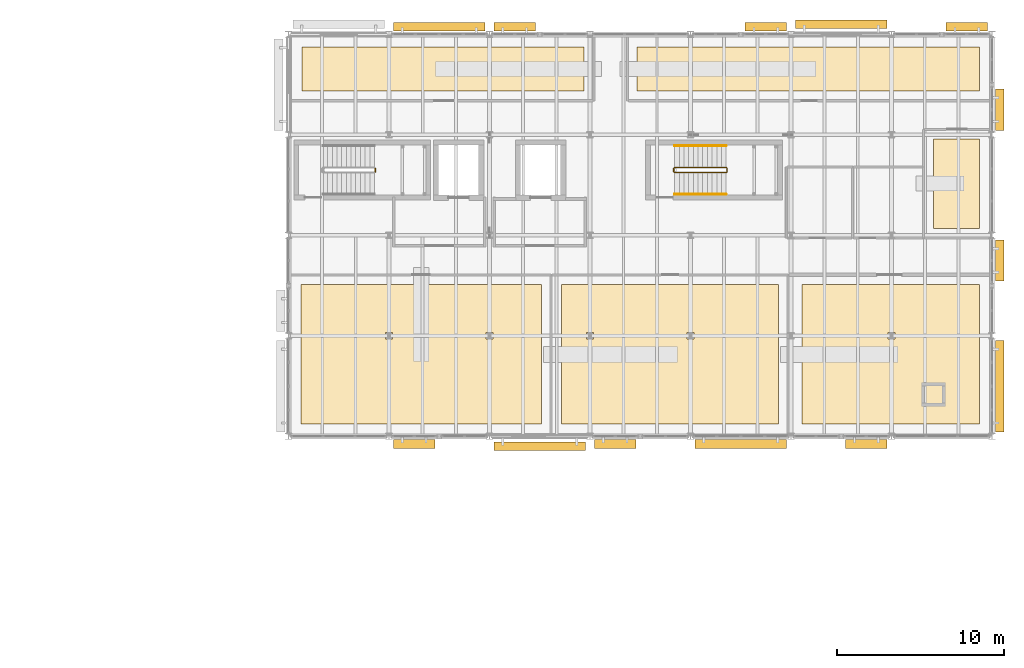
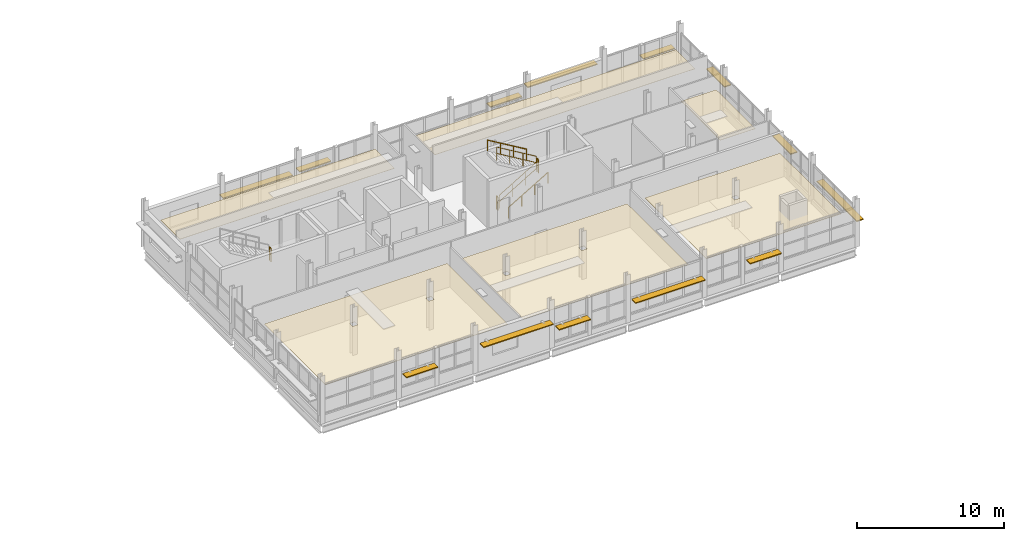
# One storey, part 91 of 92: 13 shading devices, 7 railings, 6 coverings.
"""IFC4 building model written with IfcOpenShell, lengths in metres."""

import ifcopenshell
import ifcopenshell.guid

model = None  # the IFC model being written
_history = None  # IfcOwnerHistory: only IFC2X3 demands one
_inside = {}  # id of a spatial element -> (the spatial element, [elements in it])
_under = {}  # id of a project, library or spatial element -> (it, [spatial elements below it])
_declared = {}  # id of a project -> (the project, [libraries it declares])
_typed = {}  # id of a type object -> (the type object, [elements of that type])
_made_of = {}  # id of a material, layer set ... -> (it, [elements and type objects made of it])


def new_model(schema):
    """Start an empty IFC model of exactly this schema.

    Asked for "IFC4X3", IfcOpenShell would pick the latest addendum, in which some entities
    have other attributes; the version numbers below select the first issue.
    IFC2X3 requires an IfcOwnerHistory on every rooted entity: one is made here for all.
    """
    global model, _history
    if schema == "IFC4X3":
        model = ifcopenshell.file(schema_version=(4, 3, 0, 0))
    else:
        model = ifcopenshell.file(schema=schema)
    _inside.clear()
    _under.clear()
    _declared.clear()
    _typed.clear()
    _made_of.clear()
    _history = None
    if model.schema == "IFC2X3":
        org = make("IfcOrganization", Name="unknown")
        user = make(
            "IfcPersonAndOrganization",
            ThePerson=make("IfcPerson", FamilyName="unknown"),
            TheOrganization=org,
        )
        app = make(
            "IfcApplication",
            ApplicationDeveloper=org,
            Version="unknown",
            ApplicationFullName="unknown",
            ApplicationIdentifier="unknown",
        )
        _history = make(
            "IfcOwnerHistory",
            OwningUser=user,
            OwningApplication=app,
            ChangeAction="ADDED",
            CreationDate=0,
        )
    return model


def make(cls, **values):
    """One entity of the class cls with the attributes given. An attribute that is None is left unset."""
    return model.create_entity(
        cls, **{name: value for name, value in values.items() if value is not None}
    )


def rooted(cls, **values):
    """An entity with a GlobalId (a new one), such as an element, a storey or a relation."""
    return make(cls, GlobalId=ifcopenshell.guid.new(), OwnerHistory=_history, **values)


def si_unit(unit_type, name, prefix=None):
    """IfcSIUnit, for example si_unit("LENGTHUNIT", "METRE", prefix="MILLI")."""
    return make("IfcSIUnit", UnitType=unit_type, Prefix=prefix, Name=name)


def assignment(units):
    """IfcUnitAssignment: the units of a project."""
    return None if units is None else make("IfcUnitAssignment", Units=units)


def point(xyz):
    """IfcCartesianPoint."""
    return None if xyz is None else make("IfcCartesianPoint", Coordinates=xyz)


def direction(xyz):
    """IfcDirection."""
    return None if xyz is None else make("IfcDirection", DirectionRatios=xyz)


def frame(location, z_axis=None, x_axis=None):
    """IfcAxis2Placement3D, a coordinate frame: its origin and axes. An axis left out is left unset."""
    return make(
        "IfcAxis2Placement3D",
        Location=point(location),
        Axis=direction(z_axis),
        RefDirection=direction(x_axis),
    )


def frame_2d(location, x_axis=None):
    """IfcAxis2Placement2D, a coordinate frame in the plane: its origin and x axis."""
    return make(
        "IfcAxis2Placement2D", Location=point(location), RefDirection=direction(x_axis)
    )


def origin():
    """The frame at (0, 0, 0) with its axes left unset."""
    return frame((0.0, 0.0, 0.0))


def origin_2d():
    """The frame at (0, 0) in the plane with its x axis left unset."""
    return frame_2d((0.0, 0.0))


def place(relative_to, where):
    """IfcLocalPlacement: puts the frame where relative to a parent placement (None: the world)."""
    return make(
        "IfcLocalPlacement", PlacementRelTo=relative_to, RelativePlacement=where
    )


def context(
    kind, dimensions, precision=None, world=None, true_north=None, identifier=None
):
    """IfcGeometricRepresentationContext, for example the 3D "Model" context."""
    return make(
        "IfcGeometricRepresentationContext",
        ContextIdentifier=identifier,
        ContextType=kind,
        CoordinateSpaceDimension=dimensions,
        Precision=precision,
        WorldCoordinateSystem=world,
        TrueNorth=true_north,
    )


def subcontext(parent, identifier, kind, view, scale=None):
    """IfcGeometricRepresentationSubContext, for example "Body" below "Model"."""
    return make(
        "IfcGeometricRepresentationSubContext",
        ContextIdentifier=identifier,
        ContextType=kind,
        ParentContext=parent,
        TargetScale=scale,
        TargetView=view,
    )


def project(units=None, contexts=None):
    """IfcProject with its units and contexts."""
    return rooted(
        "IfcProject",
        Name="project",
        RepresentationContexts=contexts,
        UnitsInContext=assignment(units),
    )


def spatial(cls, under=None, at=None, **own):
    """A site, building, storey or space (cls), placed at a placement, below another one or the project."""
    s = rooted(cls, ObjectPlacement=at, **own)
    if under is not None:
        _under.setdefault(under.id(), (under, []))[1].append(s)
    return s


def polyline(points):
    """IfcPolyline through the points."""
    return make("IfcPolyline", Points=[point(p) for p in points])


def profile(cls, at=None, kind="AREA", **sizes):
    """A parametric profile (cls). Its sizes go by their IFC names, for example OverallWidth=200.0."""
    return make(cls, ProfileType=kind, Position=at, **sizes)


def rectangle(**sizes):
    """IfcRectangleProfileDef."""
    return profile("IfcRectangleProfileDef", **sizes)


def circle(**sizes):
    """IfcCircleProfileDef."""
    return profile("IfcCircleProfileDef", **sizes)


def outline(outer, holes=None, kind="AREA"):
    """IfcArbitraryClosedProfileDef: a profile drawn as a closed curve; with holes, ...WithVoids."""
    if holes is None:
        return make("IfcArbitraryClosedProfileDef", ProfileType=kind, OuterCurve=outer)
    return make(
        "IfcArbitraryProfileDefWithVoids",
        ProfileType=kind,
        OuterCurve=outer,
        InnerCurves=holes,
    )


def extrude(swept, where, along, depth):
    """IfcExtrudedAreaSolid: the profile swept, set in the frame where, extruded along a direction by depth."""
    return make(
        "IfcExtrudedAreaSolid",
        SweptArea=swept,
        Position=where,
        ExtrudedDirection=direction(along),
        Depth=depth,
    )


def shape(context_of_items, identifier, shape_type, items):
    """IfcShapeRepresentation: the items that make up one representation, for example the "Body"."""
    return make(
        "IfcShapeRepresentation",
        ContextOfItems=context_of_items,
        RepresentationIdentifier=identifier,
        RepresentationType=shape_type,
        Items=items,
    )


def material(Name=None, Category=None):
    """IfcMaterial."""
    return make("IfcMaterial", Name=Name, Category=Category)


def layer(
    of_material, thickness, ventilated=None, Name=None, Category=None, Priority=None
):
    """IfcMaterialLayer: one layer of a wall or slab, of a material (None: an air gap)."""
    return make(
        "IfcMaterialLayer",
        Material=of_material,
        LayerThickness=thickness,
        IsVentilated=ventilated,
        Name=Name,
        Category=Category,
        Priority=Priority,
    )


def layer_set(layers, Name=None):
    """IfcMaterialLayerSet."""
    return make("IfcMaterialLayerSet", MaterialLayers=layers, LayerSetName=Name)


def made_of(thing, what):
    """Note that an element or type object is made of a material, layer set ...; save() writes the relation."""
    if what is not None:
        _made_of.setdefault(what.id(), (what, []))[1].append(thing)
    return thing


def type_object(cls, material=None, **own):
    """A type object (cls), such as IfcWallType, which elements share."""
    return made_of(rooted(cls, **own), material)


def element(
    cls,
    number,
    at=None,
    inside=None,
    cuts=None,
    type_object=None,
    material=None,
    context=None,
    identifier="Body",
    shape_type=None,
    held_by="IfcProductDefinitionShape",
    body=None,
    shapes=None,
    **own,
):
    """One element of the class cls, such as IfcWall. Its Tag is "e" and its number.

    at: its placement. inside: the storey or other place that contains it. cuts: it is an
    opening in that element (IfcRelVoidsElement). A single representation is given by context,
    identifier, shape_type and body (its items); several are given by shapes. held_by: the class
    of the entity that holds the representations. save() writes the other relations.
    """
    e = rooted(cls, Tag="e%d" % number, ObjectPlacement=at, **own)
    if body is not None:
        shapes = [shape(context, identifier, shape_type, body)]
    if shapes is not None:
        e.Representation = make(held_by, Representations=shapes)
    if inside is not None:
        _inside.setdefault(inside.id(), (inside, []))[1].append(e)
    if cuts is not None:
        rooted(
            "IfcRelVoidsElement", RelatingBuildingElement=cuts, RelatedOpeningElement=e
        )
    if type_object is not None:
        _typed.setdefault(type_object.id(), (type_object, []))[1].append(e)
    return made_of(e, material)


def aggregate(whole, parts):
    """IfcRelAggregates: a whole, such as a stair, and the parts it consists of."""
    return rooted("IfcRelAggregates", RelatingObject=whole, RelatedObjects=parts)


def save(model, path):
    """Write the relations noted so far, then the file.

    IfcRelAggregates (storeys below a building ...), IfcRelContainedInSpatialStructure (elements
    in a storey), IfcRelDefinesByType, IfcRelAssociatesMaterial and IfcRelDeclares: one each for
    every whole, place, type object, material and project.
    """
    for whole, parts in _under.values():
        aggregate(whole, parts)
    for where, things in _inside.values():
        rooted(
            "IfcRelContainedInSpatialStructure",
            RelatedElements=things,
            RelatingStructure=where,
        )
    for kind, things in _typed.values():
        rooted("IfcRelDefinesByType", RelatedObjects=things, RelatingType=kind)
    for what, things in _made_of.values():
        rooted("IfcRelAssociatesMaterial", RelatedObjects=things, RelatingMaterial=what)
    for by, libraries in _declared.values():
        rooted("IfcRelDeclares", RelatingContext=by, RelatedDefinitions=libraries)
    model.write(path)


model = new_model("IFC4")

# Units and contexts
model_context = context("Model", 3, precision=1e-05, world=origin(), true_north=direction((0.0, 1.0)))
body_context = subcontext(model_context, "Body", "Model", "MODEL_VIEW")
ifc_project = project(units=[si_unit("LENGTHUNIT", "METRE"), si_unit("AREAUNIT", "SQUARE_METRE"), si_unit("VOLUMEUNIT", "CUBIC_METRE"), si_unit("PLANEANGLEUNIT", "RADIAN"), si_unit("MASSUNIT", "GRAM", prefix="KILO")], contexts=[model_context])

# Site, building, storey
site_placement = place(None, origin())
site = spatial("IfcSite", under=ifc_project, at=site_placement, CompositionType="ELEMENT")
building_placement = place(site_placement, origin())
building = spatial("IfcBuilding", under=site, at=building_placement, Name="Siltcreek Boulevard Central Fire Station", CompositionType="ELEMENT")
storey_placement = place(building_placement, frame((0.0, 0.0, 6.0)))
storey = spatial("IfcBuildingStorey", under=building, at=storey_placement, Name="L02", CompositionType="ELEMENT", Elevation=6.0)

# Coverings
ifc_material_1 = material(Name="Mineral-fiber acoustic ceiling tile", Category="gypsum")
ifc_layer_1 = layer(ifc_material_1, 0.02490234375, Name="Mineral-fiber acoustic ceiling tile")
ifc_layer_set_1 = layer_set([ifc_layer_1], Name="Mineral-fiber acoustic ceiling tile")
covering_type = type_object("IfcCoveringType", Name="COV_CEIL_ACT", PredefinedType="CEILING", material=ifc_layer_set_1)
covering_1_placement = place(storey_placement, frame((0.0, 0.0, 2.419921875)))
element("IfcCovering", 1, at=covering_1_placement, inside=storey, type_object=covering_type, Name="L02 Operations Division Administrative Office acoustic ceiling ACT-016", PredefinedType="CEILING", context=body_context, shape_type="SweptSolid", body=[
    extrude(outline(polyline([(124.949951171875, 88.949951171875), (139.300048828125, 88.949951171875), (139.300048828125, 97.260009765625), (124.949951171875, 97.260009765625), (124.949951171875, 88.949951171875)]), holes=[polyline([(130.0, 94.0), (130.39990234375, 94.0), (130.39990234375, 94.39990234375), (130.0, 94.39990234375), (130.0, 94.0)]), polyline([(136.0, 94.0), (136.39990234375, 94.0), (136.39990234375, 94.39990234375), (136.0, 94.39990234375), (136.0, 94.0)])]), origin(), (0.0, 0.0, 1.0), 0.025146484375),
])
covering_2_placement = place(storey_placement, frame((0.0, 0.0, 2.419921875)))
element("IfcCovering", 2, at=covering_2_placement, inside=storey, type_object=covering_type, Name="L02 Logistics and Fleet Planning Office acoustic ceiling ACT-017", PredefinedType="CEILING", context=body_context, shape_type="SweptSolid", body=[
    extrude(outline(polyline([(140.5, 88.949951171875), (153.449951171875, 88.949951171875), (153.449951171875, 97.260009765625), (140.5, 97.260009765625), (140.5, 88.949951171875)]), holes=[polyline([(142.0, 94.0), (142.39990234375, 94.0), (142.39990234375, 94.39990234375), (142.0, 94.39990234375), (142.0, 94.0)]), polyline([(148.0, 94.0), (148.39990234375, 94.0), (148.39990234375, 94.39990234375), (148.0, 94.39990234375), (148.0, 94.0)])]), origin(), (0.0, 0.0, 1.0), 0.025146484375),
])
covering_3_placement = place(storey_placement, frame((0.0, 0.0, 2.419921875)))
element("IfcCovering", 3, at=covering_3_placement, inside=storey, type_object=covering_type, Name="L02 Fire Marshal Investigation Office acoustic ceiling ACT-018", PredefinedType="CEILING", context=body_context, shape_type="SweptSolid", body=[
    extrude(outline(polyline([(154.85009765625, 88.949951171875), (165.449951171875, 88.949951171875), (165.449951171875, 97.260009765625), (154.85009765625, 97.260009765625), (154.85009765625, 88.949951171875)]), holes=[polyline([(160.0, 94.0), (160.39990234375, 94.0), (160.39990234375, 94.39990234375), (160.0, 94.39990234375), (160.0, 94.0)])]), origin(), (0.0, 0.0, 1.0), 0.025146484375),
])
covering_4_placement = place(storey_placement, frame((0.0, 0.0, 2.419921875)))
element("IfcCovering", 4, at=covering_4_placement, inside=storey, type_object=covering_type, Name="L02 Arson Forensics Analysis Office acoustic ceiling ACT-019", PredefinedType="CEILING", context=body_context, shape_type="SweptSolid", body=[
    extrude(outline(polyline([(125.0, 108.820068359375), (141.85009765625, 108.820068359375), (141.85009765625, 111.449951171875), (125.0, 111.449951171875), (125.0, 108.820068359375)])), origin(), (0.0, 0.0, 1.0), 0.025146484375),
])
covering_5_placement = place(storey_placement, frame((0.0, 0.0, 2.419921875)))
element("IfcCovering", 5, at=covering_5_placement, inside=storey, type_object=covering_type, Name="L02 Special Operations Planning Office acoustic ceiling ACT-020", PredefinedType="CEILING", context=body_context, shape_type="SweptSolid", body=[
    extrude(outline(polyline([(145.02001953125, 108.820068359375), (165.449951171875, 108.820068359375), (165.449951171875, 111.449951171875), (145.02001953125, 111.449951171875), (145.02001953125, 108.820068359375)])), origin(), (0.0, 0.0, 1.0), 0.025146484375),
])
covering_6_placement = place(storey_placement, frame((0.0, 0.0, 2.419921875)))
element("IfcCovering", 6, at=covering_6_placement, inside=storey, type_object=covering_type, Name="L02 Administrative Copy and Records Room acoustic ceiling ACT-021", PredefinedType="CEILING", context=body_context, shape_type="SweptSolid", body=[
    extrude(outline(polyline([(162.699951171875, 100.6201171875), (165.449951171875, 100.6201171875), (165.449951171875, 105.949951171875), (162.699951171875, 105.949951171875), (162.699951171875, 100.6201171875)])), origin(), (0.0, 0.0, 1.0), 0.025146484375),
])

# Railings
ifc_material_2 = material(Name="Painted galvanized steel stair guard", Category="steel")
railing_type_1 = type_object("IfcRailingType", Name="RL_ST_GUARD", PredefinedType="BALUSTRADE", material=ifc_material_2)
railing_1_placement = place(storey_placement, frame((129.3798828125, 104.0, 2.0)))
element("IfcRailing", 7, at=railing_1_placement, inside=storey, type_object=railing_type_1, Name="L02 ST-V5A stair guard 2", PredefinedType="BALUSTRADE", context=body_context, shape_type="SweptSolid", body=[
    extrude(circle(Radius=0.02392578125, at=origin_2d()), frame((0.0, 0.0, 1.076171875), z_axis=(0.0, 1.0, 0.0), x_axis=(-1.0, 0.0, 0.0)), (0.0, 0.0, 1.0), 0.199951171875),
    extrude(circle(Radius=0.02392578125, at=origin_2d()), frame((0.0, 0.0, 0.550048828125), z_axis=(0.0, 1.0, 0.0), x_axis=(-1.0, 0.0, 0.0)), (0.0, 0.0, 1.0), 0.199951171875),
    extrude(circle(Radius=0.02099609375, at=origin_2d()), origin(), (0.0, 0.0, 1.0), 1.052001953125),
    extrude(circle(Radius=0.02099609375, at=origin_2d()), frame((0.0, 0.199951171875, 0.0)), (0.0, 0.0, 1.0), 1.052001953125),
])
railing_2_placement = place(storey_placement, frame((147.25, 103.949951171875, 0.166748046875)))
element("IfcRailing", 8, at=railing_2_placement, inside=storey, type_object=railing_type_1, Name="L02 ST-V5B stair guard 1", PredefinedType="BALUSTRADE", context=body_context, shape_type="SweptSolid", body=[
    extrude(circle(Radius=0.02392578125, at=origin_2d()), frame((0.0, 0.0, 1.076171875), z_axis=(0.859308565015, 0.0, 0.511457515432), x_axis=(0.0, 1.0, 0.0)), (0.0, 0.0, 1.0), 3.58447265625),
    extrude(circle(Radius=0.02392578125, at=origin_2d()), frame((0.0, 0.0, 0.550048828125), z_axis=(0.859308565015, 0.0, 0.511457515432), x_axis=(0.0, 1.0, 0.0)), (0.0, 0.0, 1.0), 3.58447265625),
    extrude(circle(Radius=0.02099609375, at=origin_2d()), origin(), (0.0, 0.0, 1.0), 1.052001953125),
    extrude(circle(Radius=0.02099609375, at=origin_2d()), frame((1.026611328125, 0.0, 0.611083984375)), (0.0, 0.0, 1.0), 1.052001953125),
    extrude(circle(Radius=0.02099609375, at=origin_2d()), frame((2.053466796875, 0.0, 1.22216796875)), (0.0, 0.0, 1.0), 1.052001953125),
    extrude(circle(Radius=0.02099609375, at=origin_2d()), frame((3.080078125, 0.0, 1.833251953125)), (0.0, 0.0, 1.0), 1.052001953125),
])
railing_3_placement = place(storey_placement, frame((150.3798828125, 104.0, 2.0)))
element("IfcRailing", 9, at=railing_3_placement, inside=storey, type_object=railing_type_1, Name="L02 ST-V5B stair guard 2", PredefinedType="BALUSTRADE", context=body_context, shape_type="SweptSolid", body=[
    extrude(circle(Radius=0.02392578125, at=origin_2d()), frame((0.0, 0.0, 1.076171875), z_axis=(0.0, 1.0, 0.0), x_axis=(-1.0, 0.0, 0.0)), (0.0, 0.0, 1.0), 0.199951171875),
    extrude(circle(Radius=0.02392578125, at=origin_2d()), frame((0.0, 0.0, 0.550048828125), z_axis=(0.0, 1.0, 0.0), x_axis=(-1.0, 0.0, 0.0)), (0.0, 0.0, 1.0), 0.199951171875),
    extrude(circle(Radius=0.02099609375, at=origin_2d()), origin(), (0.0, 0.0, 1.0), 1.052001953125),
    extrude(circle(Radius=0.02099609375, at=origin_2d()), frame((0.0, 0.199951171875, 0.0)), (0.0, 0.0, 1.0), 1.052001953125),
])
railing_4_placement = place(storey_placement, frame((150.330078125, 104.25, 2.166748046875)))
element("IfcRailing", 10, at=railing_4_placement, inside=storey, type_object=railing_type_1, Name="L02 ST-V5B stair guard 3", PredefinedType="BALUSTRADE", context=body_context, shape_type="SweptSolid", body=[
    extrude(circle(Radius=0.02392578125, at=origin_2d()), frame((0.0, 0.0, 1.076171875), z_axis=(-0.859308565015, 0.0, 0.511457515432), x_axis=(0.0, -1.0, 0.0)), (0.0, 0.0, 1.0), 3.58447265625),
    extrude(circle(Radius=0.02392578125, at=origin_2d()), frame((0.0, 0.0, 0.550048828125), z_axis=(-0.859308565015, 0.0, 0.511457515432), x_axis=(0.0, -1.0, 0.0)), (0.0, 0.0, 1.0), 3.58447265625),
    extrude(circle(Radius=0.02099609375, at=origin_2d()), origin(), (0.0, 0.0, 1.0), 1.052001953125),
    extrude(circle(Radius=0.02099609375, at=origin_2d()), frame((-1.026611328125, 0.0, 0.611083984375)), (0.0, 0.0, 1.0), 1.052001953125),
    extrude(circle(Radius=0.02099609375, at=origin_2d()), frame((-2.053466796875, 0.0, 1.22216796875)), (0.0, 0.0, 1.0), 1.052001953125),
    extrude(circle(Radius=0.02099609375, at=origin_2d()), frame((-3.080078125, 0.0, 1.833251953125)), (0.0, 0.0, 1.0), 1.052001953125),
])
railing_5_placement = place(storey_placement, frame((147.199951171875, 104.0, 0.0)))
element("IfcRailing", 11, at=railing_5_placement, inside=storey, type_object=railing_type_1, Name="L02 ST-V5B stair guard 4", PredefinedType="BALUSTRADE", context=body_context, shape_type="SweptSolid", body=[
    extrude(circle(Radius=0.02392578125, at=origin_2d()), frame((0.0, 0.0, 1.076171875), z_axis=(0.0, 1.0, 0.0), x_axis=(-1.0, 0.0, 0.0)), (0.0, 0.0, 1.0), 0.199951171875),
    extrude(circle(Radius=0.02392578125, at=origin_2d()), frame((0.0, 0.0, 0.550048828125), z_axis=(0.0, 1.0, 0.0), x_axis=(-1.0, 0.0, 0.0)), (0.0, 0.0, 1.0), 0.199951171875),
    extrude(circle(Radius=0.02099609375, at=origin_2d()), origin(), (0.0, 0.0, 1.0), 1.052001953125),
    extrude(circle(Radius=0.02099609375, at=origin_2d()), frame((0.0, 0.199951171875, 0.0)), (0.0, 0.0, 1.0), 1.052001953125),
])
ifc_material_3 = material(Name="Brushed stainless steel stair handrail", Category="steel")
railing_type_2 = type_object("IfcRailingType", Name="RL_ST_HAND", PredefinedType="HANDRAIL", material=ifc_material_3)
railing_6_placement = place(storey_placement, frame((147.25, 102.64990234375, 0.166748046875)))
element("IfcRailing", 12, at=railing_6_placement, inside=storey, type_object=railing_type_2, Name="L02 ST-V5B stair handrail 1", PredefinedType="HANDRAIL", context=body_context, shape_type="SweptSolid", body=[
    extrude(circle(Radius=0.02392578125, at=origin_2d()), frame((0.0, 0.0, 0.8759765625), z_axis=(0.859308565015, 0.0, 0.511457515432), x_axis=(0.0, 1.0, 0.0)), (0.0, 0.0, 1.0), 3.58447265625),
    extrude(circle(Radius=0.02099609375, at=origin_2d()), origin(), (0.0, 0.0, 1.0), 0.851806640625),
    extrude(circle(Radius=0.02099609375, at=origin_2d()), frame((1.026611328125, 0.0, 0.611083984375)), (0.0, 0.0, 1.0), 0.851806640625),
    extrude(circle(Radius=0.02099609375, at=origin_2d()), frame((2.053466796875, 0.0, 1.22216796875)), (0.0, 0.0, 1.0), 0.851806640625),
    extrude(circle(Radius=0.02099609375, at=origin_2d()), frame((3.080078125, 0.0, 1.833251953125)), (0.0, 0.0, 1.0), 0.851806640625),
])
railing_7_placement = place(storey_placement, frame((150.330078125, 105.550048828125, 2.166748046875)))
element("IfcRailing", 13, at=railing_7_placement, inside=storey, type_object=railing_type_2, Name="L02 ST-V5B stair handrail 2", PredefinedType="HANDRAIL", context=body_context, shape_type="SweptSolid", body=[
    extrude(circle(Radius=0.02392578125, at=origin_2d()), frame((0.0, 0.0, 0.8759765625), z_axis=(-0.859308565015, 0.0, 0.511457515432), x_axis=(0.0, -1.0, 0.0)), (0.0, 0.0, 1.0), 3.58447265625),
    extrude(circle(Radius=0.02099609375, at=origin_2d()), origin(), (0.0, 0.0, 1.0), 0.851806640625),
    extrude(circle(Radius=0.02099609375, at=origin_2d()), frame((-1.026611328125, 0.0, 0.611083984375)), (0.0, 0.0, 1.0), 0.851806640625),
    extrude(circle(Radius=0.02099609375, at=origin_2d()), frame((-2.053466796875, 0.0, 1.22216796875)), (0.0, 0.0, 1.0), 0.851806640625),
    extrude(circle(Radius=0.02099609375, at=origin_2d()), frame((-3.080078125, 0.0, 1.833251953125)), (0.0, 0.0, 1.0), 0.851806640625),
])

# Shading devices
ifc_material_4 = material(Name="Frey sage-green anodized tubular aluminum sunshade", Category="aluminium")
ifc_layer_2 = layer(ifc_material_4, 0.080078125, Name="Frey sage-green anodized tubular aluminum sunshade")
ifc_layer_set_2 = layer_set([ifc_layer_2], Name="Frey sage-green anodized tubular aluminum sunshade")
shading_device_type = type_object("IfcShadingDeviceType", Name="SHD_BRISE", PredefinedType="USERDEFINED", material=ifc_layer_set_2)
shading_device_1_placement = place(storey_placement, frame((131.702392578125, 87.739990234375, 1.9365234375), z_axis=(0.0, 0.0, 1.0), x_axis=(1.0, 0.0, 0.0)))
element("IfcShadingDevice", 14, at=shading_device_1_placement, inside=storey, type_object=shading_device_type, Name="Anodized tubular aluminum brise-soleil SS-095", ObjectType="SUNSHADE", PredefinedType="USERDEFINED", context=body_context, shape_type="SweptSolid", body=[
    extrude(rectangle(XDim=2.47509765625, YDim=0.52001953125, at=origin_2d()), origin(), (0.0, 0.0, 1.0), 0.080078125),
])
shading_device_2_placement = place(storey_placement, frame((139.199951171875, 87.60009765625, 2.43994140625), z_axis=(0.0, 0.0, 1.0), x_axis=(1.0, 0.0, 0.0)))
element("IfcShadingDevice", 15, at=shading_device_2_placement, inside=storey, type_object=shading_device_type, Name="Anodized tubular aluminum brise-soleil SS-096", ObjectType="SUNSHADE", PredefinedType="USERDEFINED", context=body_context, shape_type="SweptSolid", body=[
    extrude(rectangle(XDim=5.469970703125, YDim=0.52001953125, at=origin_2d()), origin(), (0.0, 0.0, 1.0), 0.080078125),
])
shading_device_3_placement = place(storey_placement, frame((143.702392578125, 87.739990234375, 1.696533203125), z_axis=(0.0, 0.0, 1.0), x_axis=(1.0, 0.0, 0.0)))
element("IfcShadingDevice", 16, at=shading_device_3_placement, inside=storey, type_object=shading_device_type, Name="Anodized tubular aluminum brise-soleil SS-097", ObjectType="SUNSHADE", PredefinedType="USERDEFINED", context=body_context, shape_type="SweptSolid", body=[
    extrude(rectangle(XDim=2.47509765625, YDim=0.52001953125, at=origin_2d()), origin(), (0.0, 0.0, 1.0), 0.080078125),
])
shading_device_4_placement = place(storey_placement, frame((151.199951171875, 87.739990234375, 1.81640625), z_axis=(0.0, 0.0, 1.0), x_axis=(1.0, 0.0, 0.0)))
element("IfcShadingDevice", 17, at=shading_device_4_placement, inside=storey, type_object=shading_device_type, Name="Anodized tubular aluminum brise-soleil SS-098", ObjectType="SUNSHADE", PredefinedType="USERDEFINED", context=body_context, shape_type="SweptSolid", body=[
    extrude(rectangle(XDim=5.469970703125, YDim=0.52001953125, at=origin_2d()), origin(), (0.0, 0.0, 1.0), 0.080078125),
])
shading_device_5_placement = place(storey_placement, frame((158.697509765625, 87.739990234375, 1.9365234375), z_axis=(0.0, 0.0, 1.0), x_axis=(1.0, 0.0, 0.0)))
element("IfcShadingDevice", 18, at=shading_device_5_placement, inside=storey, type_object=shading_device_type, Name="Anodized tubular aluminum brise-soleil SS-099", ObjectType="SUNSHADE", PredefinedType="USERDEFINED", context=body_context, shape_type="SweptSolid", body=[
    extrude(rectangle(XDim=2.47509765625, YDim=0.52001953125, at=origin_2d()), origin(), (0.0, 0.0, 1.0), 0.080078125),
])
shading_device_6_placement = place(storey_placement, frame((133.199951171875, 112.659912109375, 1.696533203125), z_axis=(0.0, 0.0, 1.0), x_axis=(-1.0, 0.0, 0.0)))
element("IfcShadingDevice", 19, at=shading_device_6_placement, inside=storey, type_object=shading_device_type, Name="Anodized tubular aluminum brise-soleil SS-101", ObjectType="SUNSHADE", PredefinedType="USERDEFINED", context=body_context, shape_type="SweptSolid", body=[
    extrude(rectangle(XDim=5.469970703125, YDim=0.52001953125, at=origin_2d()), origin(), (0.0, 0.0, 1.0), 0.080078125),
])
for number, where, z_axis, x_axis, name in (
    (20, (137.702392578125, 112.659912109375, 1.81640625), (0.0, 0.0, 1.0), (-1.0, 0.0, 0.0), "Anodized tubular aluminum brise-soleil SS-102"),
    (21, (152.697509765625, 112.659912109375, 1.9365234375), (0.0, 0.0, 1.0), (-1.0, 0.0, 0.0), "Anodized tubular aluminum brise-soleil SS-103"),
):
    element("IfcShadingDevice", number, at=place(storey_placement, frame(where, z_axis=z_axis, x_axis=x_axis)), inside=storey, type_object=shading_device_type, Name=name, ObjectType="SUNSHADE", PredefinedType="USERDEFINED", context=body_context, shape_type="SweptSolid", body=[
        extrude(rectangle(XDim=2.47509765625, YDim=0.52001953125, at=origin_2d()), origin(), (0.0, 0.0, 1.0), 0.080078125),
    ])
shading_device_7_placement = place(storey_placement, frame((157.199951171875, 112.800048828125, 2.43994140625), z_axis=(0.0, 0.0, 1.0), x_axis=(-1.0, 0.0, 0.0)))
element("IfcShadingDevice", 22, at=shading_device_7_placement, inside=storey, type_object=shading_device_type, Name="Anodized tubular aluminum brise-soleil SS-104", ObjectType="SUNSHADE", PredefinedType="USERDEFINED", context=body_context, shape_type="SweptSolid", body=[
    extrude(rectangle(XDim=5.469970703125, YDim=0.52001953125, at=origin_2d()), origin(), (0.0, 0.0, 1.0), 0.080078125),
])
shading_device_8_placement = place(storey_placement, frame((164.697509765625, 112.659912109375, 1.7314453125), z_axis=(0.0, 0.0, 1.0), x_axis=(-1.0, 0.0, 0.0)))
element("IfcShadingDevice", 23, at=shading_device_8_placement, inside=storey, type_object=shading_device_type, Name="Anodized tubular aluminum brise-soleil SS-105", ObjectType="SUNSHADE", PredefinedType="USERDEFINED", context=body_context, shape_type="SweptSolid", body=[
    extrude(rectangle(XDim=2.47509765625, YDim=0.52001953125, at=origin_2d()), origin(), (0.0, 0.0, 1.0), 0.080078125),
])
shading_device_9_placement = place(storey_placement, frame((166.659912109375, 91.199951171875, 1.7333984375), z_axis=(0.0, 0.0, 1.0), x_axis=(0.0, 1.0, 0.0)))
element("IfcShadingDevice", 24, at=shading_device_9_placement, inside=storey, type_object=shading_device_type, Name="Anodized tubular aluminum brise-soleil SS-109", ObjectType="SUNSHADE", PredefinedType="USERDEFINED", context=body_context, shape_type="SweptSolid", body=[
    extrude(rectangle(XDim=5.469970703125, YDim=0.52001953125, at=origin_2d()), origin(), (0.0, 0.0, 1.0), 0.080078125),
])
for number, where, z_axis, x_axis, name in (
    (25, (166.659912109375, 98.697509765625, 1.853515625), (0.0, 0.0, 1.0), (0.0, 1.0, 0.0), "Anodized tubular aluminum brise-soleil SS-110"),
    (26, (166.659912109375, 107.702392578125, 1.973388671875), (0.0, 0.0, 1.0), (0.0, 1.0, 0.0), "Anodized tubular aluminum brise-soleil SS-111"),
):
    element("IfcShadingDevice", number, at=place(storey_placement, frame(where, z_axis=z_axis, x_axis=x_axis)), inside=storey, type_object=shading_device_type, Name=name, ObjectType="SUNSHADE", PredefinedType="USERDEFINED", context=body_context, shape_type="SweptSolid", body=[
        extrude(rectangle(XDim=2.47509765625, YDim=0.52001953125, at=origin_2d()), origin(), (0.0, 0.0, 1.0), 0.080078125),
    ])

save(model, "model.ifc")
